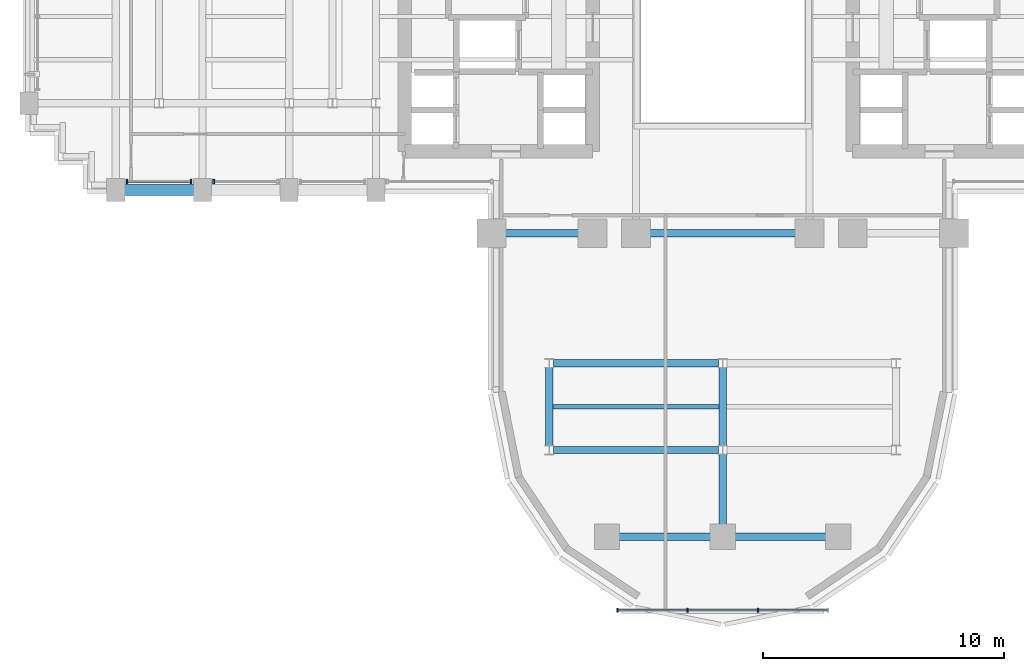
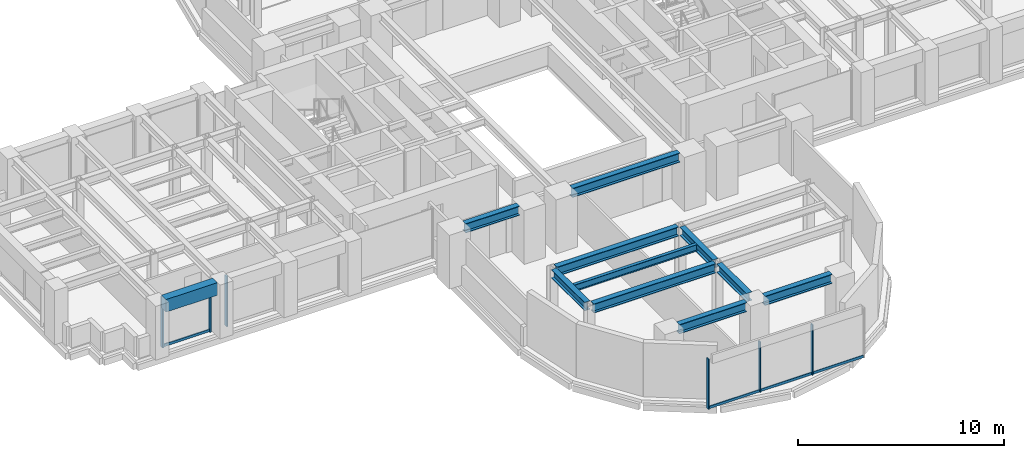
# One storey, part 3 of 16: 11 beams, 10 members, 3 elements without a shape of their own.
"""IFC4 building model written with IfcOpenShell, lengths in metres."""

from ifc_helpers import new_model, si_unit, direction, frame, origin, origin_2d, place, context, subcontext, project, spatial, rectangle, i_section, extrude, source, transform, mapped, material, material_profile, profile_set, type_object, element, aggregate, save


model = new_model("IFC4")

# Units and contexts
model_context = context("Model", 3, precision=1e-05, world=origin(), true_north=direction((0.0, 1.0)))
body_context = subcontext(model_context, "Body", "Model", "MODEL_VIEW")
ifc_project = project(units=[si_unit("LENGTHUNIT", "METRE"), si_unit("AREAUNIT", "SQUARE_METRE"), si_unit("VOLUMEUNIT", "CUBIC_METRE"), si_unit("PLANEANGLEUNIT", "RADIAN"), si_unit("MASSUNIT", "GRAM", prefix="KILO")], contexts=[model_context])

# Site, building, storey
site_placement = place(None, origin())
site = spatial("IfcSite", under=ifc_project, at=site_placement, CompositionType="ELEMENT")
building_placement = place(site_placement, origin())
building = spatial("IfcBuilding", under=site, at=building_placement, Name="Keilestroom Media Tower", CompositionType="ELEMENT")
storey_placement = place(building_placement, frame((0.0, 0.0, 30.60009765625)))
storey = spatial("IfcBuildingStorey", under=building, at=storey_placement, Name="L06", CompositionType="ELEMENT", Elevation=30.60009765625)

# Beams
ifc_material_1 = material(Name="Steel S355", Category="steel")
ifc_material_profile_1 = material_profile(ifc_material_1, i_section(OverallWidth=0.300048828125, OverallDepth=0.550048828125, WebThickness=0.012939453125, FlangeThickness=0.029052734375, at=origin_2d()), Name="HEB 550")
ifc_profile_set_1 = profile_set([ifc_material_profile_1], Name="Steel S355")
beam_type_1 = type_object("IfcBeamType", Name="Primary-Structural-Girder-HEB-550", PredefinedType="BEAM", material=ifc_profile_set_1)
shared_shape_1 = source(origin(), body_context, "Body", "SweptSolid", [
    extrude(i_section(OverallWidth=0.300048828125, OverallDepth=0.550048828125, WebThickness=0.012939453125, FlangeThickness=0.029052734375, at=origin_2d()), origin(), (0.0, 0.0, 1.0), 3.7900390625),
])
for number, where, z_axis, x_axis, name in (
    (1, (-4.294921875, -21.60009765625, 2.9248046875), (1.0, 0.0, 0.0), (0.0, 1.0, 0.0), "L06 Beam BG-5 BM-L06-EW-001"),
    (2, (0.5048828125, -21.60009765625, 2.9248046875), (1.0, 0.0, 0.0), (0.0, 1.0, 0.0), "L06 Beam BG-5 BM-L06-EW-002"),
):
    element("IfcBeam", number, at=place(storey_placement, frame(where, z_axis=z_axis, x_axis=x_axis)), inside=storey, type_object=beam_type_1, Name=name, PredefinedType="BEAM", context=body_context, shape_type="MappedRepresentation", body=[
        mapped(shared_shape_1, transform((0.0, 0.0, 0.0), x_axis=(1.0, 0.0, 0.0), y_axis=(0.0, 1.0, 0.0), z_axis=(0.0, 0.0, 1.0), scale=1.0)),
    ])
shared_shape_2 = source(origin(), body_context, "Body", "SweptSolid", [
    extrude(i_section(OverallWidth=0.300048828125, OverallDepth=0.550048828125, WebThickness=0.012939453125, FlangeThickness=0.029052734375, at=origin_2d()), origin(), (0.0, 0.0, 1.0), 6.836181640625),
])
for number, where, z_axis, x_axis, name in (
    (3, (-7.01806640625, -18.0, 2.9248046875), (1.0, 0.0, 0.0), (0.0, 1.0, 0.0), "L06 Beam BG-5 BM-L06-EW-003"),
    (4, (-7.01806640625, -14.39990234375, 2.9248046875), (1.0, 0.0, 0.0), (0.0, 1.0, 0.0), "L06 Beam BG-5 BM-L06-EW-005"),
):
    element("IfcBeam", number, at=place(storey_placement, frame(where, z_axis=z_axis, x_axis=x_axis)), inside=storey, type_object=beam_type_1, Name=name, PredefinedType="BEAM", context=body_context, shape_type="MappedRepresentation", body=[
        mapped(shared_shape_2, transform((0.0, 0.0, 0.0), x_axis=(1.0, 0.0, 0.0), y_axis=(0.0, 1.0, 0.0), z_axis=(0.0, 0.0, 1.0), scale=1.0)),
    ])
shared_shape_3 = source(origin(), body_context, "Body", "SweptSolid", [
    extrude(i_section(OverallWidth=0.300048828125, OverallDepth=0.550048828125, WebThickness=0.012939453125, FlangeThickness=0.029052734375, at=origin_2d()), origin(), (0.0, 0.0, 1.0), 3.0400390625),
])
beam_1_placement = place(storey_placement, frame((-9.02001953125, -9.0, 2.9248046875), z_axis=(1.0, 0.0, 0.0), x_axis=(0.0, 1.0, 0.0)))
element("IfcBeam", 5, at=beam_1_placement, inside=storey, type_object=beam_type_1, Name="L06 Beam BG-5 BM-L06-EW-007", PredefinedType="BEAM", context=body_context, shape_type="MappedRepresentation", body=[
    mapped(shared_shape_3, transform((0.0, 0.0, 0.0), x_axis=(1.0, 0.0, 0.0), y_axis=(0.0, 1.0, 0.0), z_axis=(0.0, 0.0, 1.0), scale=1.0)),
])
shared_shape_4 = source(origin(), body_context, "Body", "SweptSolid", [
    extrude(i_section(OverallWidth=0.300048828125, OverallDepth=0.550048828125, WebThickness=0.012939453125, FlangeThickness=0.029052734375, at=origin_2d()), origin(), (0.0, 0.0, 1.0), 6.0400390625),
])
beam_2_placement = place(storey_placement, frame((-3.02001953125, -9.0, 2.9248046875), z_axis=(1.0, 0.0, 0.0), x_axis=(0.0, 1.0, 0.0)))
element("IfcBeam", 6, at=beam_2_placement, inside=storey, type_object=beam_type_1, Name="L06 Beam BG-5 BM-L06-EW-009", PredefinedType="BEAM", context=body_context, shape_type="MappedRepresentation", body=[
    mapped(shared_shape_4, transform((0.0, 0.0, 0.0), x_axis=(1.0, 0.0, 0.0), y_axis=(0.0, 1.0, 0.0), z_axis=(0.0, 0.0, 1.0), scale=1.0)),
])
ifc_material_2 = material(Name="Precast concrete C40/50", Category="concrete")
ifc_material_profile_2 = material_profile(ifc_material_2, rectangle(XDim=0.449951171875, YDim=0.75, at=origin_2d()), Name="PC 450x750")
ifc_profile_set_2 = profile_set([ifc_material_profile_2], Name="Precast concrete C40/50")
beam_type_2 = type_object("IfcBeamType", Name="Perimeter-Spandrel-Beam-PC-450x750", PredefinedType="SPANDREL", material=ifc_profile_set_2)
shared_shape_5 = source(origin(), body_context, "Body", "SweptSolid", [
    extrude(rectangle(XDim=0.449951171875, YDim=0.75, at=origin_2d()), origin(), (0.0, 0.0, 1.0), 2.889892578125),
])
beam_3_placement = place(storey_placement, frame((-24.844970703125, -7.199951171875, 2.824951171875), z_axis=(1.0, 0.0, 0.0), x_axis=(0.0, 1.0, 0.0)))
element("IfcBeam", 7, at=beam_3_placement, inside=storey, type_object=beam_type_2, Name="L06 Beam SPB-1 BM-L06-EW-012", PredefinedType="SPANDREL", context=body_context, shape_type="MappedRepresentation", body=[
    mapped(shared_shape_5, transform((0.0, 0.0, 0.0), x_axis=(1.0, 0.0, 0.0), y_axis=(0.0, 1.0, 0.0), z_axis=(0.0, 0.0, 1.0), scale=1.0)),
])
ifc_material_profile_3 = material_profile(ifc_material_1, i_section(OverallWidth=0.300048828125, OverallDepth=0.5, WebThickness=0.012451171875, FlangeThickness=0.028076171875, at=origin_2d()), Name="HEB 500")
ifc_profile_set_3 = profile_set([ifc_material_profile_3], Name="Steel S355")
beam_type_3 = type_object("IfcBeamType", Name="Primary-Structural-Girder-HEB-500", PredefinedType="BEAM", material=ifc_profile_set_3)
shared_shape_6 = source(origin(), body_context, "Body", "SweptSolid", [
    extrude(i_section(OverallWidth=0.300048828125, OverallDepth=0.5, WebThickness=0.012451171875, FlangeThickness=0.028076171875, at=origin_2d()), origin(), (0.0, 0.0, 1.0), 3.23291015625),
])
for number, where, z_axis, x_axis, name in (
    (8, (-7.199951171875, -17.81640625, 2.949951171875), (0.0, 1.0, 0.0), (-1.0, 0.0, 0.0), "L06 Beam BG-6 BM-L06-NS-063"),
    (9, (0.0, -17.81640625, 2.949951171875), (0.0, 1.0, 0.0), (-1.0, 0.0, 0.0), "L06 Beam BG-6 BM-L06-NS-068"),
):
    element("IfcBeam", number, at=place(storey_placement, frame(where, z_axis=z_axis, x_axis=x_axis)), inside=storey, type_object=beam_type_3, Name=name, PredefinedType="BEAM", context=body_context, shape_type="MappedRepresentation", body=[
        mapped(shared_shape_6, transform((0.0, 0.0, 0.0), x_axis=(1.0, 0.0, 0.0), y_axis=(0.0, 1.0, 0.0), z_axis=(0.0, 0.0, 1.0), scale=1.0)),
    ])
shared_shape_7 = source(origin(), body_context, "Body", "SweptSolid", [
    extrude(i_section(OverallWidth=0.300048828125, OverallDepth=0.5, WebThickness=0.012451171875, FlangeThickness=0.028076171875, at=origin_2d()), origin(), (0.0, 0.0, 1.0), 2.911376953125),
])
beam_4_placement = place(storey_placement, frame((0.0, -21.094970703125, 2.949951171875), z_axis=(0.0, 1.0, 0.0), x_axis=(-1.0, 0.0, 0.0)))
element("IfcBeam", 10, at=beam_4_placement, inside=storey, type_object=beam_type_3, Name="L06 Beam BG-6 BM-L06-NS-067", PredefinedType="BEAM", context=body_context, shape_type="MappedRepresentation", body=[
    mapped(shared_shape_7, transform((0.0, 0.0, 0.0), x_axis=(1.0, 0.0, 0.0), y_axis=(0.0, 1.0, 0.0), z_axis=(0.0, 0.0, 1.0), scale=1.0)),
])
ifc_material_profile_4 = material_profile(ifc_material_1, i_section(OverallWidth=0.179931640625, OverallDepth=0.39990234375, WebThickness=0.008544921875, FlangeThickness=0.013427734375, at=origin_2d()), Name="IPE 400")
ifc_profile_set_4 = profile_set([ifc_material_profile_4], Name="Steel S355")
beam_type_4 = type_object("IfcBeamType", Name="Secondary-Floor-Joist-IPE-400", PredefinedType="JOIST", material=ifc_profile_set_4)
shared_shape_8 = source(origin(), body_context, "Body", "SweptSolid", [
    extrude(i_section(OverallWidth=0.179931640625, OverallDepth=0.39990234375, WebThickness=0.008544921875, FlangeThickness=0.013427734375, at=origin_2d()), origin(), (0.0, 0.0, 1.0), 6.940185546875),
])
beam_5_placement = place(storey_placement, frame((-7.070068359375, -16.199951171875, 3.0), z_axis=(1.0, 0.0, 0.0), x_axis=(0.0, 1.0, 0.0)))
element("IfcBeam", 11, at=beam_5_placement, inside=storey, type_object=beam_type_4, Name="L06 Beam BJ-4 JST-L06-087", PredefinedType="JOIST", context=body_context, shape_type="MappedRepresentation", body=[
    mapped(shared_shape_8, transform((0.0, 0.0, 0.0), x_axis=(1.0, 0.0, 0.0), y_axis=(0.0, 1.0, 0.0), z_axis=(0.0, 0.0, 1.0), scale=1.0)),
])

# Curtain wall, members
ifc_material_3 = material(Name="Anodised Aluminium Alloy", Category="aluminium")
curtain_wall_type_1 = type_object("IfcCurtainWallType", Name="Unitised-Curtain-Wall-CW-1", PredefinedType="NOTDEFINED", material=ifc_material_3)
curtain_wall_1_placement = place(storey_placement, origin())
curtain_wall_1 = element("IfcCurtainWall", 12, at=curtain_wall_1_placement, inside=storey, type_object=curtain_wall_type_1, Name="L06 Curtain Wall CW-1 CW-L06-SW-1", PredefinedType="NOTDEFINED")
ifc_material_profile_5 = material_profile(ifc_material_3, rectangle(XDim=0.070068359375, YDim=0.199951171875, at=origin_2d()), Name="ALU MULLION 70x200")
ifc_profile_set_5 = profile_set([ifc_material_profile_5], Name="Anodised Aluminium Alloy")
member_type_1 = type_object("IfcMemberType", Name="Curtain-Wall-Mullion-CW-1", PredefinedType="MULLION", material=ifc_profile_set_5)
shared_shape_9 = source(origin(), body_context, "Body", "SweptSolid", [
    extrude(rectangle(XDim=0.070068359375, YDim=0.199951171875, at=origin_2d()), origin(), (0.0, 0.0, 1.0), 2.97998046875),
])
member_1_placement = place(storey_placement, frame((-24.72998046875, -6.85009765625, 0.0), z_axis=(0.0, 0.0, 1.0), x_axis=(1.0, 0.0, 0.0)))
member_1 = element("IfcMember", 13, at=member_1_placement, type_object=member_type_1, Name="CW-1 Mullion 00", PredefinedType="MULLION", context=body_context, shape_type="MappedRepresentation", body=[
    mapped(shared_shape_9, transform((0.0, 0.0, 0.0), x_axis=(1.0, 0.0, 0.0), y_axis=(0.0, 1.0, 0.0), z_axis=(0.0, 0.0, 1.0), scale=1.0)),
])
member_2_placement = place(storey_placement, frame((-22.070068359375, -6.85009765625, 0.0), z_axis=(0.0, 0.0, 1.0), x_axis=(1.0, 0.0, 0.0)))
member_2 = element("IfcMember", 14, at=member_2_placement, type_object=member_type_1, Name="CW-1 Mullion 01", PredefinedType="MULLION", context=body_context, shape_type="MappedRepresentation", body=[
    mapped(shared_shape_9, transform((0.0, 0.0, 0.0), x_axis=(1.0, 0.0, 0.0), y_axis=(0.0, 1.0, 0.0), z_axis=(0.0, 0.0, 1.0), scale=1.0)),
])

# Curtain wall, member
curtain_wall_2_placement = place(storey_placement, origin())
curtain_wall_2 = element("IfcCurtainWall", 15, at=curtain_wall_2_placement, inside=storey, type_object=curtain_wall_type_1, Name="L06 Curtain Wall CW-1 CW-L06-SW-2", PredefinedType="NOTDEFINED")
member_3_placement = place(storey_placement, frame((-21.1298828125, -6.85009765625, 0.0), z_axis=(0.0, 0.0, 1.0), x_axis=(1.0, 0.0, 0.0)))
member_3 = element("IfcMember", 16, at=member_3_placement, type_object=member_type_1, Name="CW-1 Mullion 00", PredefinedType="MULLION", context=body_context, shape_type="MappedRepresentation", body=[
    mapped(shared_shape_9, transform((0.0, 0.0, 0.0), x_axis=(1.0, 0.0, 0.0), y_axis=(0.0, 1.0, 0.0), z_axis=(0.0, 0.0, 1.0), scale=1.0)),
])
aggregate(curtain_wall_2, [member_3])

# Member
ifc_material_profile_6 = material_profile(ifc_material_3, rectangle(XDim=0.06494140625, YDim=0.14990234375, at=origin_2d()), Name="ALU TRANSOM 65x150")
ifc_profile_set_6 = profile_set([ifc_material_profile_6], Name="Anodised Aluminium Alloy")
member_type_2 = type_object("IfcMemberType", Name="Curtain-Wall-Transom-CW-1", PredefinedType="USERDEFINED", material=ifc_profile_set_6)
shared_shape_10 = source(origin(), body_context, "Body", "SweptSolid", [
    extrude(rectangle(XDim=0.06494140625, YDim=0.14990234375, at=origin_2d()), origin(), (0.0, 0.0, 1.0), 2.593994140625),
])
member_4_placement = place(storey_placement, frame((-24.697021484375, -6.85009765625, 0.074951171875), z_axis=(1.0, 0.0, 0.0), x_axis=(0.0, 1.0, 0.0)))
member_4 = element("IfcMember", 17, at=member_4_placement, type_object=member_type_2, Name="CW-1 Transom 00.1", ObjectType="TRANSOM", PredefinedType="USERDEFINED", context=body_context, shape_type="MappedRepresentation", body=[
    mapped(shared_shape_10, transform((0.0, 0.0, 0.0), x_axis=(1.0, 0.0, 0.0), y_axis=(0.0, 1.0, 0.0), z_axis=(0.0, 0.0, 1.0), scale=1.0)),
])

aggregate(curtain_wall_1, [member_1, member_2, member_4])

# Curtain wall, members
curtain_wall_type_2 = type_object("IfcCurtainWallType", Name="Unitised-Curtain-Wall-CW-6", PredefinedType="NOTDEFINED", material=ifc_material_3)
curtain_wall_3_placement = place(storey_placement, origin())
curtain_wall_3 = element("IfcCurtainWall", 18, at=curtain_wall_3_placement, inside=storey, type_object=curtain_wall_type_2, Name="L06 Curtain Wall CW-6 CW-L06-LS-1", PredefinedType="NOTDEFINED")
ifc_material_profile_7 = material_profile(ifc_material_3, rectangle(XDim=0.06494140625, YDim=0.179931640625, at=origin_2d()), Name="ALU MULLION 65x180")
ifc_profile_set_7 = profile_set([ifc_material_profile_7], Name="Anodised Aluminium Alloy")
member_type_3 = type_object("IfcMemberType", Name="Curtain-Wall-Mullion-CW-6", PredefinedType="MULLION", material=ifc_profile_set_7)
shared_shape_11 = source(origin(), body_context, "Body", "SweptSolid", [
    extrude(rectangle(XDim=0.06494140625, YDim=0.179931640625, at=origin_2d()), origin(), (0.0, 0.0, 1.0), 2.97998046875),
])
member_5_placement = place(storey_placement, frame((-4.367431640625, -24.64990234375, 0.0), z_axis=(0.0, 0.0, 1.0), x_axis=(1.0, 0.0, 0.0)))
member_5 = element("IfcMember", 19, at=member_5_placement, type_object=member_type_3, Name="CW-6 Mullion 00", PredefinedType="MULLION", context=body_context, shape_type="MappedRepresentation", body=[
    mapped(shared_shape_11, transform((0.0, 0.0, 0.0), x_axis=(1.0, 0.0, 0.0), y_axis=(0.0, 1.0, 0.0), z_axis=(0.0, 0.0, 1.0), scale=1.0)),
])
member_6_placement = place(storey_placement, frame((-1.466796875, -24.64990234375, 0.0), z_axis=(0.0, 0.0, 1.0), x_axis=(1.0, 0.0, 0.0)))
member_6 = element("IfcMember", 20, at=member_6_placement, type_object=member_type_3, Name="CW-6 Mullion 01", PredefinedType="MULLION", context=body_context, shape_type="MappedRepresentation", body=[
    mapped(shared_shape_11, transform((0.0, 0.0, 0.0), x_axis=(1.0, 0.0, 0.0), y_axis=(0.0, 1.0, 0.0), z_axis=(0.0, 0.0, 1.0), scale=1.0)),
])
member_7_placement = place(storey_placement, frame((1.466796875, -24.64990234375, 0.0), z_axis=(0.0, 0.0, 1.0), x_axis=(1.0, 0.0, 0.0)))
member_7 = element("IfcMember", 21, at=member_7_placement, type_object=member_type_3, Name="CW-6 Mullion 02", PredefinedType="MULLION", context=body_context, shape_type="MappedRepresentation", body=[
    mapped(shared_shape_11, transform((0.0, 0.0, 0.0), x_axis=(1.0, 0.0, 0.0), y_axis=(0.0, 1.0, 0.0), z_axis=(0.0, 0.0, 1.0), scale=1.0)),
])
ifc_material_profile_8 = material_profile(ifc_material_3, rectangle(XDim=0.06494140625, YDim=0.14990234375, at=origin_2d()), Name="ALU TRANSOM 65x150")
ifc_profile_set_8 = profile_set([ifc_material_profile_8], Name="Anodised Aluminium Alloy")
member_type_4 = type_object("IfcMemberType", Name="Curtain-Wall-Transom-CW-6", PredefinedType="USERDEFINED", material=ifc_profile_set_8)
shared_shape_12 = source(origin(), body_context, "Body", "SweptSolid", [
    extrude(rectangle(XDim=0.06494140625, YDim=0.14990234375, at=origin_2d()), origin(), (0.0, 0.0, 1.0), 2.839599609375),
])
member_8_placement = place(storey_placement, frame((-4.3369140625, -24.64990234375, 0.074951171875), z_axis=(1.0, 0.0, 0.0), x_axis=(0.0, 1.0, 0.0)))
member_8 = element("IfcMember", 22, at=member_8_placement, type_object=member_type_4, Name="CW-6 Transom 00.1", ObjectType="TRANSOM", PredefinedType="USERDEFINED", context=body_context, shape_type="MappedRepresentation", body=[
    mapped(shared_shape_12, transform((0.0, 0.0, 0.0), x_axis=(1.0, 0.0, 0.0), y_axis=(0.0, 1.0, 0.0), z_axis=(0.0, 0.0, 1.0), scale=1.0)),
])
member_9_placement = place(storey_placement, frame((1.497314453125, -24.64990234375, 0.074951171875), z_axis=(1.0, 0.0, 0.0), x_axis=(0.0, 1.0, 0.0)))
member_9 = element("IfcMember", 23, at=member_9_placement, type_object=member_type_4, Name="CW-6 Transom 02.1", ObjectType="TRANSOM", PredefinedType="USERDEFINED", context=body_context, shape_type="MappedRepresentation", body=[
    mapped(shared_shape_12, transform((0.0, 0.0, 0.0), x_axis=(1.0, 0.0, 0.0), y_axis=(0.0, 1.0, 0.0), z_axis=(0.0, 0.0, 1.0), scale=1.0)),
])
shared_shape_13 = source(origin(), body_context, "Body", "SweptSolid", [
    extrude(rectangle(XDim=0.06494140625, YDim=0.14990234375, at=origin_2d()), origin(), (0.0, 0.0, 1.0), 2.87255859375),
])
member_10_placement = place(storey_placement, frame((-1.436279296875, -24.64990234375, 0.074951171875), z_axis=(1.0, 0.0, 0.0), x_axis=(0.0, 1.0, 0.0)))
member_10 = element("IfcMember", 24, at=member_10_placement, type_object=member_type_4, Name="CW-6 Transom 01.1", ObjectType="TRANSOM", PredefinedType="USERDEFINED", context=body_context, shape_type="MappedRepresentation", body=[
    mapped(shared_shape_13, transform((0.0, 0.0, 0.0), x_axis=(1.0, 0.0, 0.0), y_axis=(0.0, 1.0, 0.0), z_axis=(0.0, 0.0, 1.0), scale=1.0)),
])
aggregate(curtain_wall_3, [member_5, member_6, member_7, member_8, member_10, member_9])

save(model, "model.ifc")
